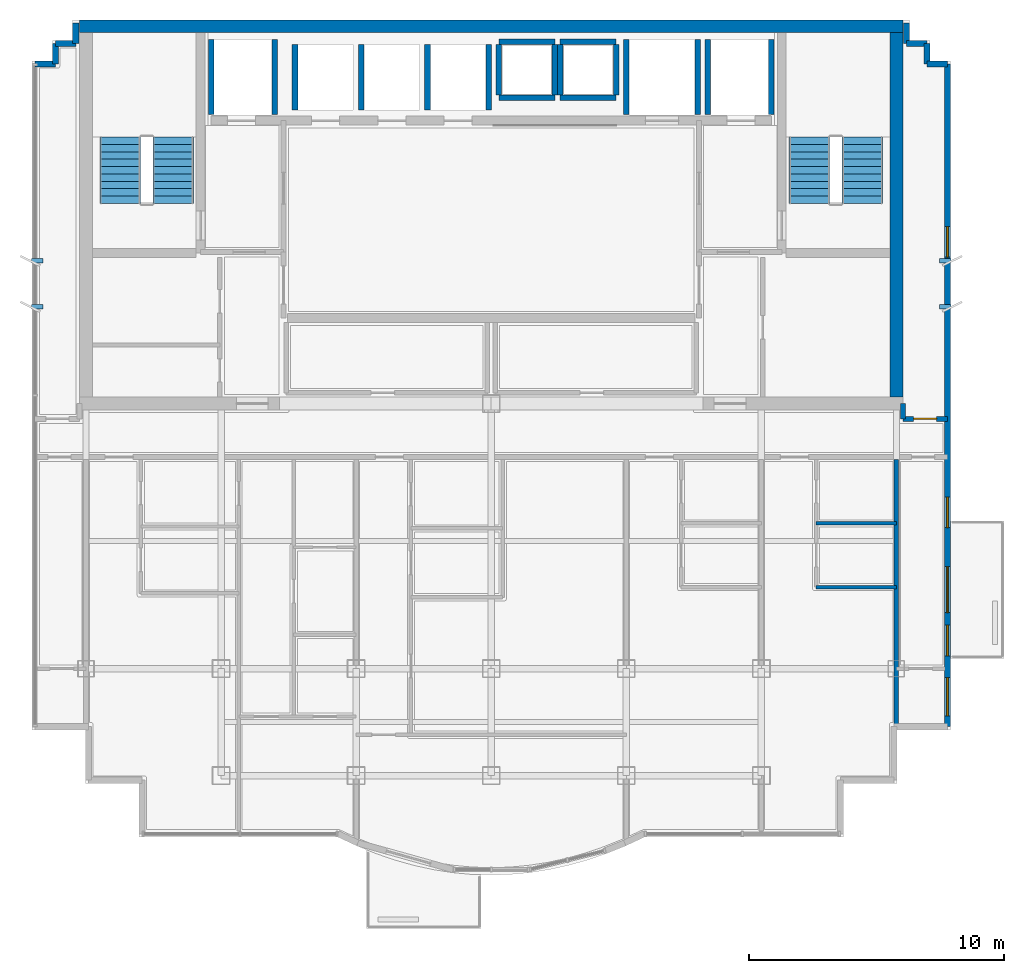
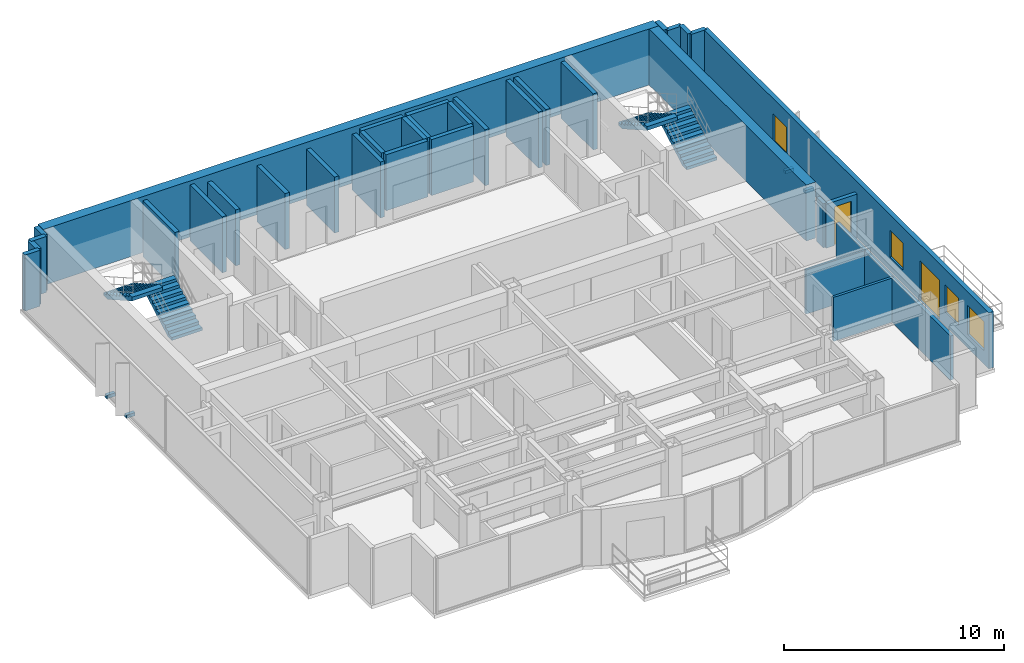
# One storey, part 7 of 9: 34 walls, 4 discrete accessories, 4 stair flights, 4 windows, 2 doors, 6 openings, 2 elements without a shape of their own.
"""IFC4 building model written with IfcOpenShell, lengths in metres."""

from ifc_helpers import new_model, si_unit, direction, frame, frame_2d, origin, origin_2d, place, context, subcontext, project, spatial, polyline, rectangle, outline, extrude, source, transform, mapped, material, layer, layer_set, type_object, element, fill, aggregate, save


model = new_model("IFC4")

# Units and contexts
model_context = context("Model", 3, precision=1e-05, world=origin(), true_north=direction((0.0, 1.0)))
body_context = subcontext(model_context, "Body", "Model", "MODEL_VIEW")
ifc_project = project(units=[si_unit("LENGTHUNIT", "METRE"), si_unit("AREAUNIT", "SQUARE_METRE"), si_unit("VOLUMEUNIT", "CUBIC_METRE"), si_unit("PLANEANGLEUNIT", "RADIAN"), si_unit("MASSUNIT", "GRAM", prefix="KILO")], contexts=[model_context])

# Site, building, storey
site_placement = place(None, origin())
site = spatial("IfcSite", under=ifc_project, at=site_placement, CompositionType="ELEMENT")
building_placement = place(site_placement, origin())
building = spatial("IfcBuilding", under=site, at=building_placement, Name="Qianlan Lanfeng Residences", CompositionType="ELEMENT")
storey_placement = place(building_placement, frame((0.0, 0.0, 242.89990234375)))
storey = spatial("IfcBuildingStorey", under=building, at=storey_placement, Name="L67", CompositionType="ELEMENT", Elevation=242.89990234375)

# Walls
ifc_material_1 = material(Name="Concrete C70", Category="concrete")
ifc_layer_1 = layer(ifc_material_1, 0.5)
ifc_layer_set_1 = layer_set([ifc_layer_1], Name="Concrete C70")
wall_type_1 = type_object("IfcWallType", Name="CW-RC-500", PredefinedType="SHEAR", material=ifc_layer_set_1)
wall_1_placement = place(storey_placement, frame((10.35009765625, 40.0, 0.0), z_axis=(0.0, 0.0, 1.0), x_axis=(1.0, 0.0, 0.0)))
element("IfcWall", 1, at=wall_1_placement, inside=storey, type_object=wall_type_1, Name="L67 Core Shear Wall N", PredefinedType="SHEAR", context=body_context, shape_type="SweptSolid", body=[
    extrude(rectangle(XDim=32.2998046875, YDim=0.5, at=frame_2d((16.14990234375, 0.0))), origin(), (0.0, 0.0, 1.0), 3.110107421875),
])
wall_2_placement = place(storey_placement, frame((42.39990234375, 25.449951171875, 0.0), z_axis=(0.0, 0.0, 1.0), x_axis=(0.0, 1.0, 0.0)))
element("IfcWall", 2, at=wall_2_placement, inside=storey, type_object=wall_type_1, Name="L67 Core Shear Wall E", PredefinedType="SHEAR", context=body_context, shape_type="SweptSolid", body=[
    extrude(rectangle(XDim=14.300048828125, YDim=0.5, at=frame_2d((7.14990234375, 0.0))), origin(), (0.0, 0.0, 1.0), 3.110107421875),
])

# Wall, openings, door, windows
ifc_material_2 = material(Name="Concrete C42", Category="concrete")
ifc_layer_2 = layer(ifc_material_2, 0.239990234375)
ifc_layer_set_2 = layer_set([ifc_layer_2], Name="Concrete C42")
wall_type_2 = type_object("IfcWallType", Name="EW-240", PredefinedType="SOLIDWALL", material=ifc_layer_set_2)
wall_3_placement = place(storey_placement, frame((44.39990234375, 12.52001953125, 0.0), z_axis=(0.0, 0.0, 1.0), x_axis=(0.0, 1.0, 0.0)))
wall_3 = element("IfcWall", 3, at=wall_3_placement, inside=storey, type_object=wall_type_2, Name="L67 Terrace/Balcony Access Exterior Wall 13", PredefinedType="SOLIDWALL", context=body_context, shape_type="SweptSolid", body=[
    extrude(rectangle(XDim=26.010009765625, YDim=0.239990234375, at=frame_2d((13.0048828125, 0.0))), origin(), (0.0, 0.0, 1.0), 3.110107421875),
])
opening_1_placement = place(wall_3_placement, frame((4.47998046875, 0.0, 0.0)))
opening_1 = element("IfcOpeningElement", 4, at=opening_1_placement, cuts=wall_3, Name="Opening L67-D-EB-S", PredefinedType="OPENING", context=body_context, shape_type="SweptSolid", body=[
    extrude(rectangle(XDim=1.800048828125, YDim=2.199951171875, at=frame_2d((0.89990234375, 1.10009765625))), frame((0.0, 0.1298828125, 0.0), z_axis=(0.0, -1.0, 0.0), x_axis=(1.0, 0.0, 0.0)), (0.0, 0.0, 1.0), 0.260009765625),
])
opening_2_placement = place(wall_3_placement, frame((0.426025390625, 0.0, 0.75)))
opening_2 = element("IfcOpeningElement", 5, at=opening_2_placement, cuts=wall_3, Name="Opening W-02", PredefinedType="OPENING", context=body_context, shape_type="SweptSolid", body=[
    extrude(rectangle(XDim=1.5, YDim=1.60009765625, at=frame_2d((0.75, 0.800048828125))), frame((0.0, 0.1298828125, 0.0), z_axis=(0.0, -1.0, 0.0), x_axis=(1.0, 0.0, 0.0)), (0.0, 0.0, 1.0), 0.260009765625),
])
opening_3_placement = place(wall_3_placement, frame((2.783935546875, 0.0, 0.75)))
opening_3 = element("IfcOpeningElement", 6, at=opening_3_placement, cuts=wall_3, Name="Opening W-03", PredefinedType="OPENING", context=body_context, shape_type="SweptSolid", body=[
    extrude(rectangle(XDim=1.199951171875, YDim=1.5, at=frame_2d((0.60009765625, 0.75))), frame((0.0, 0.1298828125, 0.0), z_axis=(0.0, -1.0, 0.0), x_axis=(1.0, 0.0, 0.0)), (0.0, 0.0, 1.0), 0.260009765625),
])
opening_4_placement = place(wall_3_placement, frame((7.81005859375, 0.0, 0.75)))
opening_4 = element("IfcOpeningElement", 7, at=opening_4_placement, cuts=wall_3, Name="Opening W-03", PredefinedType="OPENING", context=body_context, shape_type="SweptSolid", body=[
    extrude(rectangle(XDim=1.199951171875, YDim=1.5, at=frame_2d((0.60009765625, 0.75))), frame((0.0, 0.1298828125, 0.0), z_axis=(0.0, -1.0, 0.0), x_axis=(1.0, 0.0, 0.0)), (0.0, 0.0, 1.0), 0.260009765625),
])
opening_5_placement = place(wall_3_placement, frame((18.425048828125, 0.0, 0.75)))
opening_5 = element("IfcOpeningElement", 8, at=opening_5_placement, cuts=wall_3, Name="Opening W-03", PredefinedType="OPENING", context=body_context, shape_type="SweptSolid", body=[
    extrude(rectangle(XDim=1.199951171875, YDim=1.5, at=frame_2d((0.60009765625, 0.75))), frame((0.0, 0.1298828125, 0.0), z_axis=(0.0, -1.0, 0.0), x_axis=(1.0, 0.0, 0.0)), (0.0, 0.0, 1.0), 0.260009765625),
])
ifc_material_3 = material(Name="Anodised Bronze Aluminium Framed Glass", Category="aluminium")
door_type_1 = type_object("IfcDoorType", Name="DT-BAL1", OperationType="NOTDEFINED", PredefinedType="DOOR", material=ifc_material_3)
door_1_placement = place(opening_1_placement, frame((1.800048828125, 0.0, 0.0), z_axis=(0.0, 0.0, 1.0), x_axis=(-1.0, 0.0, 0.0)))
door_1 = element("IfcDoor", 9, at=door_1_placement, inside=storey, type_object=door_type_1, Name="L67 Exterior Access Door EB-S", OperationType="DOUBLE_DOOR_SLIDING", OverallHeight=2.199951171875, OverallWidth=1.800048828125, PredefinedType="DOOR", context=body_context, shape_type="SweptSolid", body=[
    extrude(rectangle(XDim=1.800048828125, YDim=2.199951171875, at=frame_2d((0.89990234375, 1.10009765625))), frame((0.0, 0.02490234375, 0.0), z_axis=(0.0, -1.0, 0.0), x_axis=(1.0, 0.0, 0.0)), (0.0, 0.0, 1.0), 0.050048828125),
])
fill(opening_1, door_1)
ifc_material_4 = material(Name="Anodised Bronze Aluminium Framed Double Glazing", Category="aluminium")
window_type_1 = type_object("IfcWindowType", Name="W-02", PartitioningType="SINGLE_PANEL", PredefinedType="WINDOW", material=ifc_material_4)
window_1_placement = place(opening_2_placement, origin())
window_1 = element("IfcWindow", 10, at=window_1_placement, inside=storey, type_object=window_type_1, Name="L67 Exterior Window W-06", OverallHeight=1.60009765625, OverallWidth=1.5, PartitioningType="SINGLE_PANEL", PredefinedType="WINDOW", context=body_context, shape_type="SweptSolid", body=[
    extrude(rectangle(XDim=1.5, YDim=1.60009765625, at=frame_2d((0.75, 0.800048828125))), frame((0.0, 0.030029296875, 0.0), z_axis=(0.0, -1.0, 0.0), x_axis=(1.0, 0.0, 0.0)), (0.0, 0.0, 1.0), 0.06005859375),
])
fill(opening_2, window_1)
window_type_2 = type_object("IfcWindowType", Name="W-03", PartitioningType="SINGLE_PANEL", PredefinedType="WINDOW", material=ifc_material_4)
window_2_placement = place(opening_3_placement, origin())
window_2 = element("IfcWindow", 11, at=window_2_placement, inside=storey, type_object=window_type_2, Name="L67 Facade Bay Window W-03", OverallHeight=1.5, OverallWidth=1.199951171875, PartitioningType="SINGLE_PANEL", PredefinedType="WINDOW", context=body_context, shape_type="SweptSolid", body=[
    extrude(rectangle(XDim=1.199951171875, YDim=1.5, at=frame_2d((0.60009765625, 0.75))), frame((0.0, 0.030029296875, 0.0), z_axis=(0.0, -1.0, 0.0), x_axis=(1.0, 0.0, 0.0)), (0.0, 0.0, 1.0), 0.06005859375),
])
fill(opening_3, window_2)
window_3_placement = place(opening_4_placement, origin())
window_3 = element("IfcWindow", 12, at=window_3_placement, inside=storey, type_object=window_type_2, Name="L67 Facade Bay Window W-03", OverallHeight=1.5, OverallWidth=1.199951171875, PartitioningType="SINGLE_PANEL", PredefinedType="WINDOW", context=body_context, shape_type="SweptSolid", body=[
    extrude(rectangle(XDim=1.199951171875, YDim=1.5, at=frame_2d((0.60009765625, 0.75))), frame((0.0, 0.030029296875, 0.0), z_axis=(0.0, -1.0, 0.0), x_axis=(1.0, 0.0, 0.0)), (0.0, 0.0, 1.0), 0.06005859375),
])
fill(opening_4, window_3)
window_4_placement = place(opening_5_placement, origin())
window_4 = element("IfcWindow", 13, at=window_4_placement, inside=storey, type_object=window_type_2, Name="L67 Facade Bay Window W-03", OverallHeight=1.5, OverallWidth=1.199951171875, PartitioningType="SINGLE_PANEL", PredefinedType="WINDOW", context=body_context, shape_type="SweptSolid", body=[
    extrude(rectangle(XDim=1.199951171875, YDim=1.5, at=frame_2d((0.60009765625, 0.75))), frame((0.0, 0.030029296875, 0.0), z_axis=(0.0, -1.0, 0.0), x_axis=(1.0, 0.0, 0.0)), (0.0, 0.0, 1.0), 0.06005859375),
])
fill(opening_5, window_4)

# Walls
wall_4_placement = place(storey_placement, frame((44.39990234375, 38.530029296875, 0.0), z_axis=(0.0, 0.0, 1.0), x_axis=(-1.0, 0.0, 0.0)))
element("IfcWall", 14, at=wall_4_placement, inside=storey, type_object=wall_type_2, Name="L67 Exterior Facade Spandrel Wall 14", PredefinedType="SOLIDWALL", context=body_context, shape_type="SweptSolid", body=[
    extrude(rectangle(XDim=0.7998046875, YDim=0.239990234375, at=frame_2d((0.39990234375, 0.0))), origin(), (0.0, 0.0, 1.0), 3.110107421875),
])
for number, where, z_axis, x_axis, name in (
    (15, (43.60009765625, 38.530029296875, 0.0), (0.0, 0.0, 1.0), (0.0, 1.0, 0.0), "L67 Exterior Facade Spandrel Wall 15"),
    (16, (43.60009765625, 39.330078125, 0.0), (0.0, 0.0, 1.0), (-1.0, 0.0, 0.0), "L67 Exterior Facade Spandrel Wall 16"),
):
    element("IfcWall", number, at=place(storey_placement, frame(where, z_axis=z_axis, x_axis=x_axis)), inside=storey, type_object=wall_type_2, Name=name, PredefinedType="SOLIDWALL", context=body_context, shape_type="SweptSolid", body=[
        extrude(rectangle(XDim=0.800048828125, YDim=0.239990234375, at=frame_2d((0.39990234375, 0.0))), origin(), (0.0, 0.0, 1.0), 3.110107421875),
    ])
for number, where, z_axis, x_axis, name in (
    (17, (42.800048828125, 39.330078125, 0.0), (0.0, 0.0, 1.0), (0.0, 1.0, 0.0), "L67 Exterior Facade Spandrel Wall 17"),
    (18, (10.199951171875, 40.1298828125, 0.0), (0.0, 0.0, 1.0), (0.0, -1.0, 0.0), "L67 Exterior Facade Spandrel Wall 18"),
):
    element("IfcWall", number, at=place(storey_placement, frame(where, z_axis=z_axis, x_axis=x_axis)), inside=storey, type_object=wall_type_2, Name=name, PredefinedType="SOLIDWALL", context=body_context, shape_type="SweptSolid", body=[
        extrude(rectangle(XDim=0.7998046875, YDim=0.239990234375, at=frame_2d((0.39990234375, 0.0))), origin(), (0.0, 0.0, 1.0), 3.110107421875),
    ])
for number, where, z_axis, x_axis, name in (
    (19, (10.199951171875, 39.330078125, 0.0), (0.0, 0.0, 1.0), (-1.0, 0.0, 0.0), "L67 Exterior Facade Spandrel Wall 19"),
    (20, (9.39990234375, 39.330078125, 0.0), (0.0, 0.0, 1.0), (0.0, -1.0, 0.0), "L67 Exterior Facade Spandrel Wall 20"),
):
    element("IfcWall", number, at=place(storey_placement, frame(where, z_axis=z_axis, x_axis=x_axis)), inside=storey, type_object=wall_type_2, Name=name, PredefinedType="SOLIDWALL", context=body_context, shape_type="SweptSolid", body=[
        extrude(rectangle(XDim=0.800048828125, YDim=0.239990234375, at=frame_2d((0.39990234375, 0.0))), origin(), (0.0, 0.0, 1.0), 3.110107421875),
    ])
wall_5_placement = place(storey_placement, frame((9.39990234375, 38.530029296875, 0.0), z_axis=(0.0, 0.0, 1.0), x_axis=(-1.0, 0.0, 0.0)))
element("IfcWall", 21, at=wall_5_placement, inside=storey, type_object=wall_type_2, Name="L67 Exterior Facade Spandrel Wall 21", PredefinedType="SOLIDWALL", context=body_context, shape_type="SweptSolid", body=[
    extrude(rectangle(XDim=0.7998046875, YDim=0.239990234375, at=frame_2d((0.39990234375, 0.0))), origin(), (0.0, 0.0, 1.0), 3.110107421875),
])
ifc_material_5 = material(Name="Moisture-Resistant Gypsum Partition 135 mm")
ifc_layer_3 = layer(ifc_material_5, 0.135009765625)
ifc_layer_set_3 = layer_set([ifc_layer_3], Name="Moisture-Resistant Gypsum Partition 135 mm")
wall_type_3 = type_object("IfcWallType", Name="PW-135", PredefinedType="PARTITIONING", material=ifc_layer_set_3)
for number, where, z_axis, x_axis, name in (
    (22, (39.25, 18.0, 0.0), (0.0, 0.0, 1.0), (1.0, 0.0, 0.0), "L67 U04 Kitchen South Wall"),
    (23, (39.25, 20.5, 0.0), (0.0, 0.0, 1.0), (1.0, 0.0, 0.0), "L67 U04 Bathroom South Wall"),
):
    element("IfcWall", number, at=place(storey_placement, frame(where, z_axis=z_axis, x_axis=x_axis)), inside=storey, type_object=wall_type_3, Name=name, PredefinedType="PARTITIONING", context=body_context, shape_type="SweptSolid", body=[
        extrude(rectangle(XDim=3.14990234375, YDim=0.135009765625, at=frame_2d((1.574951171875, 0.0))), origin(), (0.0, 0.0, 1.0), 2.4501953125),
    ])
ifc_material_6 = material(Name="Double-Layer Acoustic Gypsum Stud Wall 180 mm")
ifc_layer_4 = layer(ifc_material_6, 0.179931640625)
ifc_layer_set_4 = layer_set([ifc_layer_4], Name="Double-Layer Acoustic Gypsum Stud Wall 180 mm")
wall_type_4 = type_object("IfcWallType", Name="PW-180", PredefinedType="PARTITIONING", material=ifc_layer_set_4)
wall_6_placement = place(storey_placement, frame((42.39990234375, 12.6201171875, 0.0), z_axis=(0.0, 0.0, 1.0), x_axis=(0.0, 1.0, 0.0)))
element("IfcWall", 24, at=wall_6_placement, inside=storey, type_object=wall_type_4, Name="L67 Wing Boundary Party Wall E0", PredefinedType="PARTITIONING", context=body_context, shape_type="SweptSolid", body=[
    extrude(rectangle(XDim=10.3798828125, YDim=0.179931640625, at=frame_2d((5.18994140625, 0.0))), origin(), (0.0, 0.0, 1.0), 2.4501953125),
])

# Wall, opening, door
ifc_material_7 = material(Name="Autoclaved Aerated Concrete Blockwork 200 mm", Category="masonry")
ifc_layer_5 = layer(ifc_material_7, 0.199951171875)
ifc_layer_set_5 = layer_set([ifc_layer_5], Name="Autoclaved Aerated Concrete Blockwork 200 mm")
wall_type_5 = type_object("IfcWallType", Name="PW-200", PredefinedType="PARTITIONING", material=ifc_layer_set_5)
wall_7_placement = place(storey_placement, frame((42.64990234375, 24.60009765625, 0.0), z_axis=(0.0, 0.0, 1.0), x_axis=(1.0, 0.0, 0.0)))
wall_7 = element("IfcWall", 25, at=wall_7_placement, inside=storey, type_object=wall_type_5, Name="L67 Corridor NE Wall", PredefinedType="PARTITIONING", context=body_context, shape_type="SweptSolid", body=[
    extrude(rectangle(XDim=1.75, YDim=0.199951171875, at=frame_2d((0.875, 0.0))), origin(), (0.0, 0.0, 1.0), 2.4501953125),
])
opening_6_placement = place(wall_7_placement, frame((0.425048828125, 0.0, 0.0)))
opening_6 = element("IfcOpeningElement", 26, at=opening_6_placement, cuts=wall_7, Name="Opening L67-D40", PredefinedType="OPENING", context=body_context, shape_type="SweptSolid", body=[
    extrude(rectangle(XDim=0.89990234375, YDim=2.14990234375, at=frame_2d((0.449951171875, 1.074951171875))), frame((0.0, 0.10986328125, 0.0), z_axis=(0.0, -1.0, 0.0), x_axis=(1.0, 0.0, 0.0)), (0.0, 0.0, 1.0), 0.219970703125),
])
ifc_material_8 = material(Name="Moisture-Resistant Timber Leaf", Category="wood")
door_type_2 = type_object("IfcDoorType", Name="DT-WC", OperationType="NOTDEFINED", PredefinedType="DOOR", material=ifc_material_8)
door_2_placement = place(opening_6_placement, frame((0.89990234375, 0.0, 0.0), z_axis=(0.0, 0.0, 1.0), x_axis=(-1.0, 0.0, 0.0)))
door_2 = element("IfcDoor", 27, at=door_2_placement, inside=storey, type_object=door_type_2, Name="L67 EW Amenity Salon Door L67-D40 (DT-WC)", OperationType="SINGLE_SWING_LEFT", OverallHeight=2.14990234375, OverallWidth=0.89990234375, PredefinedType="DOOR", context=body_context, shape_type="SweptSolid", body=[
    extrude(rectangle(XDim=0.89990234375, YDim=2.14990234375, at=frame_2d((0.449951171875, 1.074951171875))), frame((0.0, 0.02490234375, 0.0), z_axis=(0.0, -1.0, 0.0), x_axis=(1.0, 0.0, 0.0)), (0.0, 0.0, 1.0), 0.050048828125),
])
fill(opening_6, door_2)

# Walls
wall_8_placement = place(storey_placement, frame((42.64990234375, 24.60009765625, 0.0), z_axis=(0.0, 0.0, 1.0), x_axis=(0.0, 1.0, 0.0)))
element("IfcWall", 28, at=wall_8_placement, inside=storey, type_object=wall_type_5, Name="L67 NE Wing Core Return Wall", PredefinedType="PARTITIONING", context=body_context, shape_type="SweptSolid", body=[
    extrude(rectangle(XDim=0.599853515625, YDim=0.199951171875, at=frame_2d((0.2998046875, 0.0))), origin(), (0.0, 0.0, 1.0), 2.4501953125),
])
ifc_material_9 = material(Name="Concrete C49", Category="concrete")
ifc_layer_6 = layer(ifc_material_9, 0.219970703125)
ifc_layer_set_6 = layer_set([ifc_layer_6], Name="Concrete C49")
wall_type_6 = type_object("IfcWallType", Name="SHW-220", PredefinedType="SOLIDWALL", material=ifc_layer_set_6)
for number, where, z_axis, x_axis, name in (
    (29, (15.52001953125, 36.550048828125, 0.0), (0.0, 0.0, 1.0), (0.0, 1.0, 0.0), "L67 Lift FFL-1 Shaft Wall W"),
    (30, (18.0, 36.550048828125, 0.0), (0.0, 0.0, 1.0), (0.0, 1.0, 0.0), "L67 Lift FFL-1 Shaft Wall E"),
    (31, (35.0, 36.550048828125, 0.0), (0.0, 0.0, 1.0), (0.0, 1.0, 0.0), "L67 Lift FFL-2 Shaft Wall W"),
    (32, (37.47998046875, 36.550048828125, 0.0), (0.0, 0.0, 1.0), (0.0, 1.0, 0.0), "L67 Lift FFL-2 Shaft Wall E"),
    (33, (31.800048828125, 36.550048828125, 0.0), (0.0, 0.0, 1.0), (0.0, 1.0, 0.0), "L67 Lift SVL-1 Shaft Wall W"),
    (34, (34.60009765625, 36.550048828125, 0.0), (0.0, 0.0, 1.0), (0.0, 1.0, 0.0), "L67 Lift SVL-1 Shaft Wall E"),
):
    element("IfcWall", number, at=place(storey_placement, frame(where, z_axis=z_axis, x_axis=x_axis)), inside=storey, type_object=wall_type_6, Name=name, PredefinedType="SOLIDWALL", context=body_context, shape_type="SweptSolid", body=[
        extrude(rectangle(XDim=2.929931640625, YDim=0.219970703125, at=frame_2d((1.46484375, 0.0))), origin(), (0.0, 0.0, 1.0), 3.110107421875),
    ])
for number, where, z_axis, x_axis, name in (
    (35, (18.800048828125, 36.719970703125, 0.0), (0.0, 0.0, 1.0), (0.0, 1.0, 0.0), "L67 Lift PL-H1 Shaft Wall W"),
    (36, (21.39990234375, 36.719970703125, 0.0), (0.0, 0.0, 1.0), (0.0, 1.0, 0.0), "L67 Lift PL-H2 Shaft Wall W"),
    (37, (24.0, 36.719970703125, 0.0), (0.0, 0.0, 1.0), (0.0, 1.0, 0.0), "L67 Lift PL-H3 Shaft Wall W"),
    (38, (26.39990234375, 36.719970703125, 0.0), (0.0, 0.0, 1.0), (0.0, 1.0, 0.0), "L67 Lift PL-H3 Shaft Wall E"),
):
    element("IfcWall", number, at=place(storey_placement, frame(where, z_axis=z_axis, x_axis=x_axis)), inside=storey, type_object=wall_type_6, Name=name, PredefinedType="SOLIDWALL", context=body_context, shape_type="SweptSolid", body=[
        extrude(rectangle(XDim=2.56005859375, YDim=0.219970703125, at=frame_2d((1.280029296875, 0.0))), origin(), (0.0, 0.0, 1.0), 3.110107421875),
    ])
for number, where, z_axis, x_axis, name in (
    (39, (26.800048828125, 37.31005859375, 0.0), (0.0, 0.0, 1.0), (0.0, 1.0, 0.0), "L67 MEP Riser MEP-R1 Shaft Wall W"),
    (40, (29.0, 37.31005859375, 0.0), (0.0, 0.0, 1.0), (0.0, 1.0, 0.0), "L67 MEP Riser MEP-R1 Shaft Wall E"),
):
    element("IfcWall", number, at=place(storey_placement, frame(where, z_axis=z_axis, x_axis=x_axis)), inside=storey, type_object=wall_type_6, Name=name, PredefinedType="SOLIDWALL", context=body_context, shape_type="SweptSolid", body=[
        extrude(rectangle(XDim=1.97998046875, YDim=0.219970703125, at=frame_2d((0.989990234375, 0.0))), origin(), (0.0, 0.0, 1.0), 3.110107421875),
    ])
for number, where, z_axis, x_axis, name in (
    (41, (26.800048828125, 39.39990234375, 0.0), (0.0, 0.0, 1.0), (1.0, 0.0, 0.0), "L67 MEP Riser MEP-R1 Shaft Wall N"),
    (42, (26.800048828125, 37.199951171875, 0.0), (0.0, 0.0, 1.0), (1.0, 0.0, 0.0), "L67 MEP Riser MEP-R1 Shaft Wall S"),
):
    element("IfcWall", number, at=place(storey_placement, frame(where, z_axis=z_axis, x_axis=x_axis)), inside=storey, type_object=wall_type_6, Name=name, PredefinedType="SOLIDWALL", context=body_context, shape_type="SweptSolid", body=[
        extrude(rectangle(XDim=2.199951171875, YDim=0.219970703125, at=frame_2d((1.10009765625, 0.0))), origin(), (0.0, 0.0, 1.0), 3.110107421875),
    ])
for number, where, z_axis, x_axis, name in (
    (43, (29.199951171875, 37.31005859375, 0.0), (0.0, 0.0, 1.0), (0.0, 1.0, 0.0), "L67 MEP Riser MEP-R2 Shaft Wall W"),
    (44, (31.39990234375, 37.31005859375, 0.0), (0.0, 0.0, 1.0), (0.0, 1.0, 0.0), "L67 MEP Riser MEP-R2 Shaft Wall E"),
):
    element("IfcWall", number, at=place(storey_placement, frame(where, z_axis=z_axis, x_axis=x_axis)), inside=storey, type_object=wall_type_6, Name=name, PredefinedType="SOLIDWALL", context=body_context, shape_type="SweptSolid", body=[
        extrude(rectangle(XDim=1.97998046875, YDim=0.219970703125, at=frame_2d((0.989990234375, 0.0))), origin(), (0.0, 0.0, 1.0), 3.110107421875),
    ])
for number, where, z_axis, x_axis, name in (
    (45, (29.199951171875, 39.39990234375, 0.0), (0.0, 0.0, 1.0), (1.0, 0.0, 0.0), "L67 MEP Riser MEP-R2 Shaft Wall N"),
    (46, (29.199951171875, 37.199951171875, 0.0), (0.0, 0.0, 1.0), (1.0, 0.0, 0.0), "L67 MEP Riser MEP-R2 Shaft Wall S"),
):
    element("IfcWall", number, at=place(storey_placement, frame(where, z_axis=z_axis, x_axis=x_axis)), inside=storey, type_object=wall_type_6, Name=name, PredefinedType="SOLIDWALL", context=body_context, shape_type="SweptSolid", body=[
        extrude(rectangle(XDim=2.199951171875, YDim=0.219970703125, at=frame_2d((1.10009765625, 0.0))), origin(), (0.0, 0.0, 1.0), 3.110107421875),
    ])

# Stair, stair flights
stair_type = type_object("IfcStairType", Name="STR-MAIN", PredefinedType="HALF_TURN_STAIR", material=ifc_material_2)
stair_1_placement = place(storey_placement, origin())
stair_1 = element("IfcStair", 47, at=stair_1_placement, inside=storey, type_object=stair_type, Name="L67 Exit Stair ST-1", PredefinedType="HALF_TURN_STAIR")
stair_flight_type = type_object("IfcStairFlightType", Name="FLT-1720", PredefinedType="STRAIGHT", material=ifc_material_2)
stair_flight_1_placement = place(storey_placement, frame((14.02001953125, 33.050048828125, 0.0), z_axis=(0.0, 0.0, 1.0), x_axis=(0.0, 1.0, 0.0)))
stair_flight_1 = element("IfcStairFlight", 48, at=stair_flight_1_placement, type_object=stair_flight_type, Name="ST-1 flight 1", NumberOfRisers=10, NumberOfTreads=9, PredefinedType="STRAIGHT", RiserHeight=0.165, TreadLength=0.29, context=body_context, shape_type="SweptSolid", body=[
    extrude(outline(polyline([(0.0, 0.0), (0.0, 0.1650390625), (0.2900390625, 0.1650390625), (0.2900390625, 0.330078125), (0.580078125, 0.330078125), (0.580078125, 0.4951171875), (0.8701171875, 0.4951171875), (0.8701171875, 0.659912109375), (1.159912109375, 0.659912109375), (1.159912109375, 0.824951171875), (1.449951171875, 0.824951171875), (1.449951171875, 0.989990234375), (1.739990234375, 0.989990234375), (1.739990234375, 1.155029296875), (2.030029296875, 1.155029296875), (2.030029296875, 1.320068359375), (2.320068359375, 1.320068359375), (2.320068359375, 1.485107421875), (2.610107421875, 1.485107421875), (2.610107421875, 1.64990234375), (2.610107421875, 1.278076171875), (0.36376953125, 0.0), (0.0, 0.0)])), frame((0.0, 0.800048828125, 0.0), z_axis=(0.0, -1.0, 0.0), x_axis=(1.0, 0.0, 0.0)), (0.0, 0.0, 1.0), 1.60009765625),
])
stair_flight_2_placement = place(storey_placement, frame((11.93994140625, 35.659912109375, 1.650146484375), z_axis=(0.0, 0.0, 1.0), x_axis=(0.0, -1.0, 0.0)))
stair_flight_2 = element("IfcStairFlight", 49, at=stair_flight_2_placement, type_object=stair_flight_type, Name="ST-1 flight 2", NumberOfRisers=10, NumberOfTreads=9, PredefinedType="STRAIGHT", RiserHeight=0.165, TreadLength=0.29, context=body_context, shape_type="SweptSolid", body=[
    extrude(outline(polyline([(0.0, 0.0), (0.0, 0.1650390625), (0.2900390625, 0.1650390625), (0.2900390625, 0.330078125), (0.580078125, 0.330078125), (0.580078125, 0.4951171875), (0.8701171875, 0.4951171875), (0.8701171875, 0.659912109375), (1.159912109375, 0.659912109375), (1.159912109375, 0.824951171875), (1.449951171875, 0.824951171875), (1.449951171875, 0.989990234375), (1.739990234375, 0.989990234375), (1.739990234375, 1.155029296875), (2.030029296875, 1.155029296875), (2.030029296875, 1.320068359375), (2.320068359375, 1.320068359375), (2.320068359375, 1.485107421875), (2.610107421875, 1.485107421875), (2.610107421875, 1.64990234375), (2.610107421875, 1.278076171875), (0.36376953125, 0.0), (0.0, 0.0)])), frame((0.0, 0.800048828125, 0.0), z_axis=(0.0, -1.0, 0.0), x_axis=(1.0, 0.0, 0.0)), (0.0, 0.0, 1.0), 1.60009765625),
])
aggregate(stair_1, [stair_flight_1, stair_flight_2])

stair_2_placement = place(storey_placement, origin())
stair_2 = element("IfcStair", 50, at=stair_2_placement, inside=storey, type_object=stair_type, Name="L67 Exit Stair ST-2", PredefinedType="HALF_TURN_STAIR")
stair_flight_3_placement = place(storey_placement, frame((41.06005859375, 33.050048828125, 0.0), z_axis=(0.0, 0.0, 1.0), x_axis=(0.0, 1.0, 0.0)))
stair_flight_3 = element("IfcStairFlight", 51, at=stair_flight_3_placement, type_object=stair_flight_type, Name="ST-2 flight 1", NumberOfRisers=10, NumberOfTreads=9, PredefinedType="STRAIGHT", RiserHeight=0.165, TreadLength=0.29, context=body_context, shape_type="SweptSolid", body=[
    extrude(outline(polyline([(0.0, 0.0), (0.0, 0.1650390625), (0.2900390625, 0.1650390625), (0.2900390625, 0.330078125), (0.580078125, 0.330078125), (0.580078125, 0.4951171875), (0.8701171875, 0.4951171875), (0.8701171875, 0.659912109375), (1.159912109375, 0.659912109375), (1.159912109375, 0.824951171875), (1.449951171875, 0.824951171875), (1.449951171875, 0.989990234375), (1.739990234375, 0.989990234375), (1.739990234375, 1.155029296875), (2.030029296875, 1.155029296875), (2.030029296875, 1.320068359375), (2.320068359375, 1.320068359375), (2.320068359375, 1.485107421875), (2.610107421875, 1.485107421875), (2.610107421875, 1.64990234375), (2.610107421875, 1.278076171875), (0.36376953125, 0.0), (0.0, 0.0)])), frame((0.0, 0.800048828125, 0.0), z_axis=(0.0, -1.0, 0.0), x_axis=(1.0, 0.0, 0.0)), (0.0, 0.0, 1.0), 1.60009765625),
])
stair_flight_4_placement = place(storey_placement, frame((38.97998046875, 35.659912109375, 1.650146484375), z_axis=(0.0, 0.0, 1.0), x_axis=(0.0, -1.0, 0.0)))
stair_flight_4 = element("IfcStairFlight", 52, at=stair_flight_4_placement, type_object=stair_flight_type, Name="ST-2 flight 2", NumberOfRisers=10, NumberOfTreads=9, PredefinedType="STRAIGHT", RiserHeight=0.165, TreadLength=0.29, context=body_context, shape_type="SweptSolid", body=[
    extrude(outline(polyline([(0.0, 0.0), (0.0, 0.1650390625), (0.2900390625, 0.1650390625), (0.2900390625, 0.330078125), (0.580078125, 0.330078125), (0.580078125, 0.4951171875), (0.8701171875, 0.4951171875), (0.8701171875, 0.659912109375), (1.159912109375, 0.659912109375), (1.159912109375, 0.824951171875), (1.449951171875, 0.824951171875), (1.449951171875, 0.989990234375), (1.739990234375, 0.989990234375), (1.739990234375, 1.155029296875), (2.030029296875, 1.155029296875), (2.030029296875, 1.320068359375), (2.320068359375, 1.320068359375), (2.320068359375, 1.485107421875), (2.610107421875, 1.485107421875), (2.610107421875, 1.64990234375), (2.610107421875, 1.278076171875), (0.36376953125, 0.0), (0.0, 0.0)])), frame((0.0, 0.800048828125, 0.0), z_axis=(0.0, -1.0, 0.0), x_axis=(1.0, 0.0, 0.0)), (0.0, 0.0, 1.0), 1.60009765625),
])
aggregate(stair_2, [stair_flight_3, stair_flight_4])

# Discrete accessories
ifc_material_10 = material(Name="Stainless Steel Facade Bracket", Category="steel")
discrete_accessory_type = type_object("IfcDiscreteAccessoryType", Name="BRK-SS-350", PredefinedType="BRACKET", material=ifc_material_10)
shared_shape = source(origin(), body_context, "Body", "SweptSolid", [
    extrude(rectangle(XDim=0.449951171875, YDim=0.179931640625, at=origin_2d()), origin(), (0.0, 0.0, 1.0), 0.179931640625),
])
for number, where, z_axis, x_axis, name in (
    (53, (8.679931640625, 29.0, -0.14990234375), (0.0, 0.0, 1.0), (1.0, 0.0, 0.0), "L67 Raked Solar Fin Support Bracket W1"),
    (54, (8.679931640625, 30.800048828125, -0.14990234375), (0.0, 0.0, 1.0), (1.0, 0.0, 0.0), "L67 Raked Solar Fin Support Bracket W2"),
    (55, (44.320068359375, 29.0, -0.14990234375), (0.0, 0.0, 1.0), (1.0, 0.0, 0.0), "L67 Raked Solar Fin Support Bracket E1"),
    (56, (44.320068359375, 30.800048828125, -0.14990234375), (0.0, 0.0, 1.0), (1.0, 0.0, 0.0), "L67 Raked Solar Fin Support Bracket E2"),
):
    element("IfcDiscreteAccessory", number, at=place(storey_placement, frame(where, z_axis=z_axis, x_axis=x_axis)), inside=storey, type_object=discrete_accessory_type, Name=name, PredefinedType="BRACKET", context=body_context, shape_type="MappedRepresentation", body=[
        mapped(shared_shape, transform((0.0, 0.0, 0.0), scale=1.0)),
    ])

save(model, "model.ifc")
